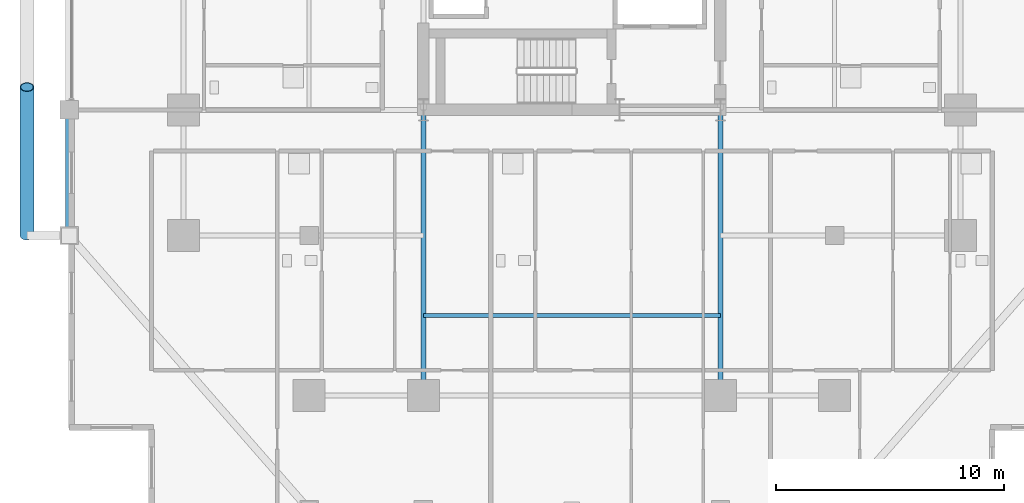
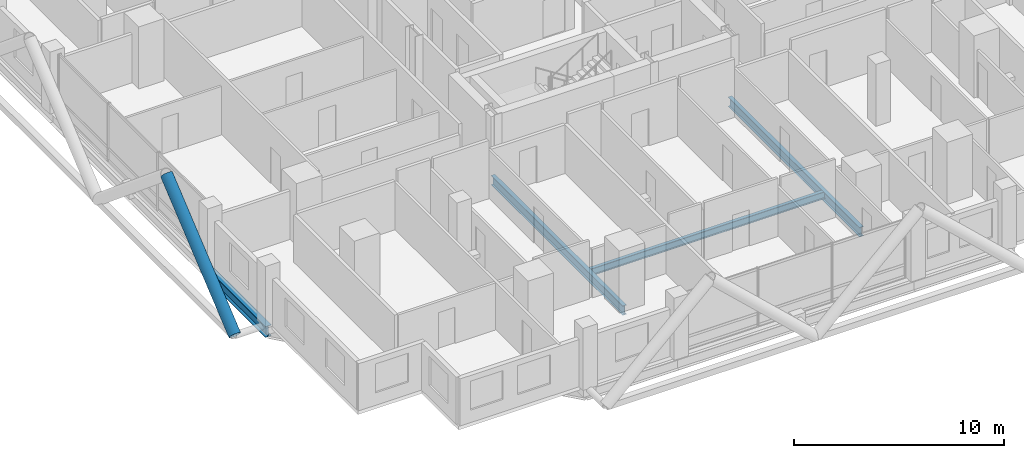
# One storey, part 5 of 28: 4 beams, 1 member.
"""IFC4 building model written with IfcOpenShell, lengths in metres."""

from ifc_helpers import new_model, si_unit, direction, frame, origin, origin_2d, place, context, subcontext, project, spatial, hollow_circle, i_section, extrude, material, material_profile, profile_set, type_object, element, save


model = new_model("IFC4")

# Units and contexts
model_context = context("Model", 3, precision=1e-05, world=origin(), true_north=direction((0.0, 1.0)))
body_context = subcontext(model_context, "Body", "Model", "MODEL_VIEW")
ifc_project = project(units=[si_unit("LENGTHUNIT", "METRE"), si_unit("AREAUNIT", "SQUARE_METRE"), si_unit("VOLUMEUNIT", "CUBIC_METRE"), si_unit("PLANEANGLEUNIT", "RADIAN"), si_unit("MASSUNIT", "GRAM", prefix="KILO")], contexts=[model_context])

# Site, building, storey
site_placement = place(None, origin())
site = spatial("IfcSite", under=ifc_project, at=site_placement, CompositionType="ELEMENT")
building_placement = place(site_placement, origin())
building = spatial("IfcBuilding", under=site, at=building_placement, Name="Barlavira Tower and Art Museum", CompositionType="ELEMENT")
storey_placement = place(building_placement, frame((0.0, 0.0, 39.60009765625)))
storey = spatial("IfcBuildingStorey", under=building, at=storey_placement, Name="L08", CompositionType="ELEMENT", Elevation=39.60009765625)

# Member
ifc_material = material(Name="Steel S355", Category="steel")
ifc_material_profile_1 = material_profile(ifc_material, hollow_circle(Radius=0.304931640625, WallThickness=0.028076171875, at=origin_2d()), Name="CHS 610.0x28.0")
ifc_profile_set_1 = profile_set([ifc_material_profile_1], Name="Steel S355")
member_type = type_object("IfcMemberType", Name="Pale-Metal Exoskeleton Diagrid Tube CHS 610x28 Steel S355", PredefinedType="BRACE", material=ifc_profile_set_1)
member_placement = place(storey_placement, frame((-23.85009765625, -13.0, -0.1201171875), z_axis=(0.0, 0.769196053329, 0.639012857104), x_axis=(-1.0, 0.0, 0.0)))
element("IfcMember", 1, at=member_placement, inside=storey, type_object=member_type, Name="L08 Exoskeleton Diagrid Tube W", PredefinedType="BRACE", context=body_context, shape_type="SweptSolid", body=[
    extrude(hollow_circle(Radius=0.304931640625, WallThickness=0.028076171875, at=origin_2d()), origin(), (0.0, 0.0, 1.0), 8.450439453125),
])

# Beams
ifc_material_profile_2 = material_profile(ifc_material, i_section(OverallWidth=0.327880859375, OverallDepth=0.62890625, WebThickness=0.013916015625, FlangeThickness=0.021484375, at=origin_2d()), Name="W610x174.0")
ifc_profile_set_2 = profile_set([ifc_material_profile_2], Name="Steel S355")
beam_type_1 = type_object("IfcBeamType", Name="Perimeter Spandrel Edge Beam W610x174 Steel S355", PredefinedType="SPANDREL", material=ifc_profile_set_2)
beam_1_placement = place(storey_placement, frame((-22.0, -13.0, -0.53466796875), z_axis=(0.0, 1.0, 0.0), x_axis=(-1.0, 0.0, 0.0)))
element("IfcBeam", 2, at=beam_1_placement, inside=storey, type_object=beam_type_1, Name="L08 Spandrel 15", PredefinedType="SPANDREL", context=body_context, shape_type="SweptSolid", body=[
    extrude(i_section(OverallWidth=0.327880859375, OverallDepth=0.62890625, WebThickness=0.013916015625, FlangeThickness=0.021484375, at=origin_2d()), origin(), (0.0, 0.0, 1.0), 5.5),
])
ifc_material_profile_3 = material_profile(ifc_material, i_section(OverallWidth=0.180908203125, OverallDepth=0.4169921875, WebThickness=0.010986328125, FlangeThickness=0.018310546875, at=origin_2d()), Name="W410x85.0")
ifc_profile_set_3 = profile_set([ifc_material_profile_3], Name="Steel S355")
beam_type_2 = type_object("IfcBeamType", Name="Zone 1 Composite Floor Joist W410x85 Steel S355", PredefinedType="JOIST", material=ifc_profile_set_3)
beam_2_placement = place(storey_placement, frame((-6.5, -16.5, -0.4287109375), z_axis=(1.0, 0.0, 0.0), x_axis=(0.0, 1.0, 0.0)))
element("IfcBeam", 3, at=beam_2_placement, inside=storey, type_object=beam_type_2, Name="L08 Joist C1", PredefinedType="JOIST", context=body_context, shape_type="SweptSolid", body=[
    extrude(i_section(OverallWidth=0.180908203125, OverallDepth=0.4169921875, WebThickness=0.010986328125, FlangeThickness=0.018310546875, at=origin_2d()), origin(), (0.0, 0.0, 1.0), 13.0),
])
ifc_material_profile_4 = material_profile(ifc_material, i_section(OverallWidth=0.214111328125, OverallDepth=0.549072265625, WebThickness=0.0146484375, FlangeThickness=0.023681640625, at=origin_2d()), Name="W530x138.0")
ifc_profile_set_4 = profile_set([ifc_material_profile_4], Name="Steel S355")
beam_type_3 = type_object("IfcBeamType", Name="Zone 1 Primary Floor Girder W530x138 Steel S355", PredefinedType="BEAM", material=ifc_profile_set_4)
for number, where, z_axis, x_axis, name in (
    (4, (-6.5, -20.0, -0.49462890625), (0.0, 1.0, 0.0), (-1.0, 0.0, 0.0), "L08 Girder R-S1"),
    (5, (6.5, -20.0, -0.49462890625), (0.0, 1.0, 0.0), (-1.0, 0.0, 0.0), "L08 Girder R-S2"),
):
    element("IfcBeam", number, at=place(storey_placement, frame(where, z_axis=z_axis, x_axis=x_axis)), inside=storey, type_object=beam_type_3, Name=name, PredefinedType="BEAM", context=body_context, shape_type="SweptSolid", body=[
        extrude(i_section(OverallWidth=0.214111328125, OverallDepth=0.549072265625, WebThickness=0.0146484375, FlangeThickness=0.023681640625, at=origin_2d()), origin(), (0.0, 0.0, 1.0), 12.5),
    ])

save(model, "model.ifc")
